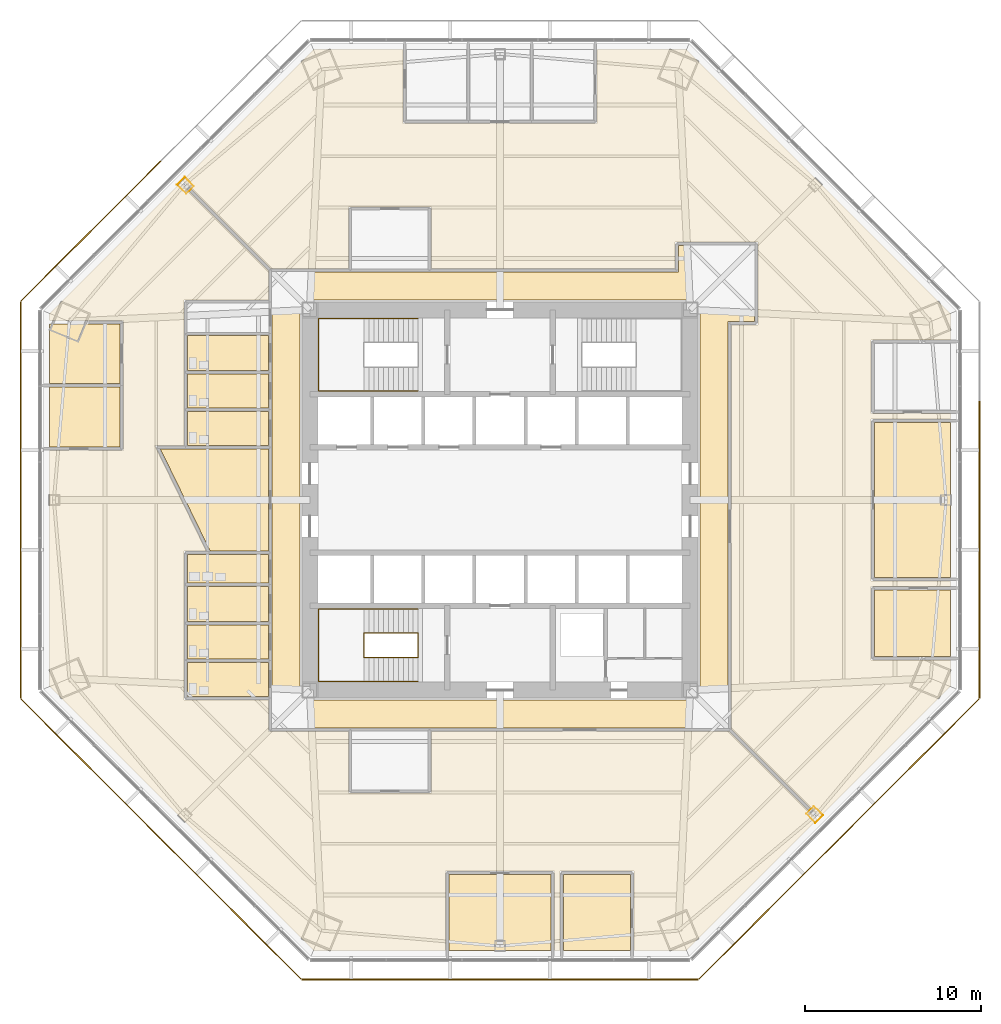
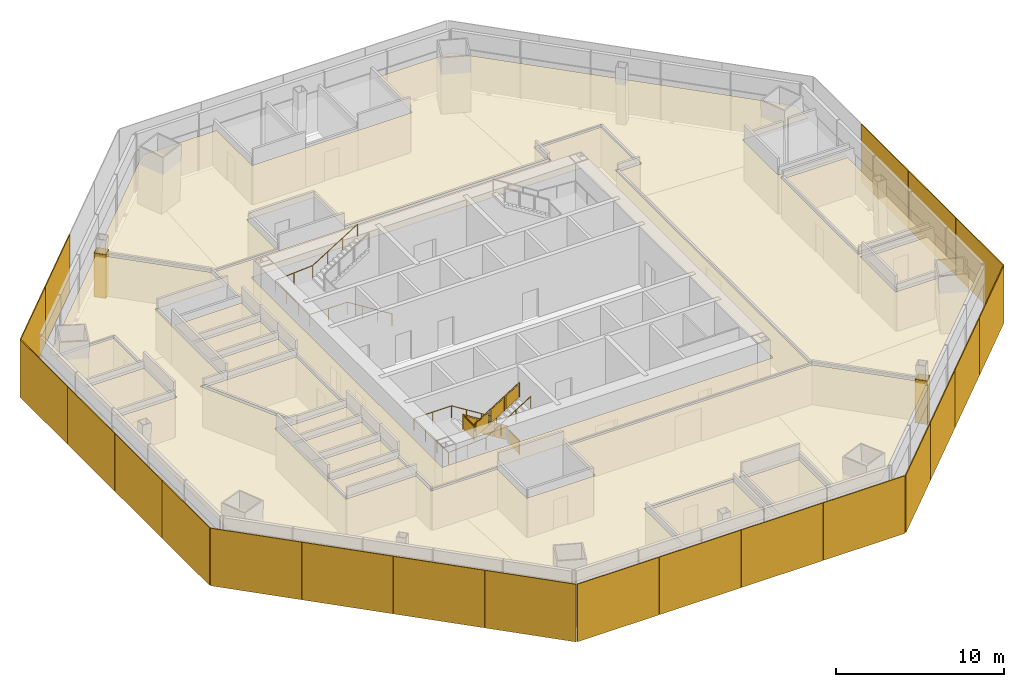
# One storey, part 13 of 15: 21 shading devices, 19 coverings, 3 railings.
"""IFC4 building model written with IfcOpenShell, lengths in metres."""

from ifc_helpers import new_model, si_unit, direction, frame, origin, origin_2d, place, context, subcontext, project, spatial, polyline, rectangle, circle, outline, extrude, source, transform, mapped, material, layer, layer_set, type_object, type_shapes, element, save


model = new_model("IFC4")

# Units and contexts
model_context = context("Model", 3, precision=1e-05, world=origin(), true_north=direction((0.0, 1.0)))
body_context = subcontext(model_context, "Body", "Model", "MODEL_VIEW")
ifc_project = project(units=[si_unit("LENGTHUNIT", "METRE"), si_unit("AREAUNIT", "SQUARE_METRE"), si_unit("VOLUMEUNIT", "CUBIC_METRE"), si_unit("PLANEANGLEUNIT", "RADIAN"), si_unit("MASSUNIT", "GRAM", prefix="KILO")], contexts=[model_context])

# Site, building, storey
site_placement = place(None, origin())
site = spatial("IfcSite", under=ifc_project, at=site_placement, CompositionType="ELEMENT")
building_placement = place(site_placement, origin())
building = spatial("IfcBuilding", under=site, at=building_placement, Name="Mashrafa Tower", CompositionType="ELEMENT")
storey_placement = place(building_placement, frame((0.0, 0.0, 66.60009765625)))
storey = spatial("IfcBuildingStorey", under=building, at=storey_placement, Name="L14", CompositionType="ELEMENT", Elevation=66.60009765625)

# Coverings
ifc_material_1 = material(Name="Gypsum board")
ifc_layer_1 = layer(ifc_material_1, 0.014892578125)
ifc_layer_set_1 = layer_set([ifc_layer_1], Name="Column casing plasterboard 15")
covering_type_1 = type_object("IfcCoveringType", Name="Column casing plasterboard 15", PredefinedType="CLADDING", material=ifc_layer_set_1)
covering_1_placement = place(storey_placement, origin())
element("IfcCovering", 1, at=covering_1_placement, inside=storey, type_object=covering_type_1, Name="Column casing L14-001", PredefinedType="CLADDING", context=body_context, shape_type="SweptSolid", body=[
    extrude(outline(polyline([(-18.357177734375, 17.91162109375), (-17.91162109375, 18.357177734375), (-17.3818359375, 17.827392578125), (-17.827392578125, 17.3818359375), (-18.357177734375, 17.91162109375)]), holes=[polyline([(-17.403076171875, 17.827392578125), (-17.91162109375, 18.3359375), (-18.3359375, 17.91162109375), (-17.827392578125, 17.403076171875), (-17.403076171875, 17.827392578125)])]), origin(), (0.0, 0.0, 1.0), 3.16650390625),
])
covering_2_placement = place(storey_placement, origin())
element("IfcCovering", 2, at=covering_2_placement, inside=storey, type_object=covering_type_1, Name="Column casing L14-002", PredefinedType="CLADDING", context=body_context, shape_type="SweptSolid", body=[
    extrude(outline(polyline([(17.3818359375, -17.827392578125), (17.827392578125, -17.3818359375), (18.357177734375, -17.91162109375), (17.91162109375, -18.357177734375), (17.3818359375, -17.827392578125)]), holes=[polyline([(18.3359375, -17.91162109375), (17.827392578125, -17.403076171875), (17.403076171875, -17.827392578125), (17.91162109375, -18.3359375), (18.3359375, -17.91162109375)])]), origin(), (0.0, 0.0, 1.0), 3.16650390625),
])

# Railings
ifc_material_2 = material(Name="Steel guard with glass infill", Category="steel")
railing_type_1 = type_object("IfcRailingType", Name="Stair guard 1100", PredefinedType="GUARDRAIL", material=ifc_material_2)
railing_1_placement = place(storey_placement, frame((-4.64990234375, -8.949951171875, 0.0)))
element("IfcRailing", 3, at=railing_1_placement, inside=storey, type_object=railing_type_1, Name="Stair S3 guard L14", PredefinedType="GUARDRAIL", context=body_context, shape_type="SweptSolid", body=[
    extrude(circle(Radius=0.02392578125, at=origin_2d()), frame((0.0, 0.0, 1.076171875), z_axis=(0.0, 1.0, 0.0), x_axis=(-1.0, 0.0, 0.0)), (0.0, 0.0, 1.0), 1.39990234375),
    extrude(circle(Radius=0.02392578125, at=origin_2d()), frame((0.0, 1.39990234375, 1.076171875), z_axis=(0.0, 0.0, 1.0), x_axis=(1.0, 0.0, 0.0)), (0.0, 0.0, 1.0), 0.1748046875),
    extrude(circle(Radius=0.02392578125, at=origin_2d()), frame((0.0, 1.39990234375, 1.2509765625), z_axis=(-0.847998304005, 0.0, 0.529998940003), x_axis=(0.0, -1.0, 0.0)), (0.0, 0.0, 1.0), 3.632080078125),
    extrude(circle(Radius=0.02392578125, at=origin_2d()), frame((-3.080078125, 1.39990234375, 3.17578125), z_axis=(0.0, -1.0, 0.0), x_axis=(1.0, 0.0, 0.0)), (0.0, 0.0, 1.0), 1.39990234375),
    extrude(circle(Radius=0.02392578125, at=origin_2d()), frame((-3.080078125, 0.0, 3.17578125), z_axis=(0.0, 0.0, 1.0), x_axis=(1.0, 0.0, 0.0)), (0.0, 0.0, 1.0), 0.175048828125),
    extrude(circle(Radius=0.02392578125, at=origin_2d()), frame((-3.080078125, 0.0, 3.35107421875), z_axis=(0.847998304005, 0.0, 0.529998940003), x_axis=(0.0, 1.0, 0.0)), (0.0, 0.0, 1.0), 3.632080078125),
    extrude(circle(Radius=0.02099609375, at=origin_2d()), origin(), (0.0, 0.0, 1.0), 1.052001953125),
    extrude(circle(Radius=0.02099609375, at=origin_2d()), frame((0.0, 1.39990234375, 0.0)), (0.0, 0.0, 1.0), 1.052001953125),
    extrude(circle(Radius=0.02099609375, at=origin_2d()), frame((0.0, 1.39990234375, 0.1748046875)), (0.0, 0.0, 1.0), 1.052001953125),
    extrude(circle(Radius=0.02099609375, at=origin_2d()), frame((-1.026611328125, 1.39990234375, 0.81640625)), (0.0, 0.0, 1.0), 1.052001953125),
    extrude(circle(Radius=0.02099609375, at=origin_2d()), frame((-2.053466796875, 1.39990234375, 1.458251953125)), (0.0, 0.0, 1.0), 1.052001953125),
    extrude(circle(Radius=0.02099609375, at=origin_2d()), frame((-3.080078125, 1.39990234375, 2.099853515625)), (0.0, 0.0, 1.0), 1.052001953125),
    extrude(circle(Radius=0.02099609375, at=origin_2d()), frame((-3.080078125, 0.0, 2.099853515625)), (0.0, 0.0, 1.0), 1.052001953125),
    extrude(circle(Radius=0.02099609375, at=origin_2d()), frame((-3.080078125, 0.0, 2.27490234375)), (0.0, 0.0, 1.0), 1.052001953125),
    extrude(circle(Radius=0.02099609375, at=origin_2d()), frame((-2.053466796875, 0.0, 2.91650390625)), (0.0, 0.0, 1.0), 1.052001953125),
    extrude(circle(Radius=0.02099609375, at=origin_2d()), frame((-1.026611328125, 0.0, 3.558349609375)), (0.0, 0.0, 1.0), 1.052001953125),
    extrude(circle(Radius=0.02099609375, at=origin_2d()), frame((0.0, 0.0, 4.199951171875)), (0.0, 0.0, 1.0), 1.052001953125),
    extrude(outline(polyline([(0.071044921875, 0.050048828125), (1.328857421875, 0.050048828125), (1.328857421875, 1.001953125), (0.071044921875, 1.001953125), (0.071044921875, 0.050048828125)])), frame((0.006103515625, 0.0, 0.0), z_axis=(1.0, 0.0, 0.0), x_axis=(0.0, 1.0, 0.0)), (0.0, 0.0, 1.0), 0.011962890625),
    extrude(outline(polyline([(0.071044921875, 0.094482421875), (0.955810546875, 0.647216796875), (0.955810546875, 1.599365234375), (0.071044921875, 1.04638671875), (0.071044921875, 0.094482421875)])), frame((0.0, 1.406005859375, 0.1748046875), z_axis=(0.0, 1.0, 0.0), x_axis=(-1.0, 0.0, 0.0)), (0.0, 0.0, 1.0), 0.011962890625),
    extrude(outline(polyline([(1.09765625, 0.736083984375), (1.982421875, 1.2890625), (1.982421875, 2.240966796875), (1.09765625, 1.68798828125), (1.09765625, 0.736083984375)])), frame((0.0, 1.406005859375, 0.1748046875), z_axis=(0.0, 1.0, 0.0), x_axis=(-1.0, 0.0, 0.0)), (0.0, 0.0, 1.0), 0.011962890625),
    extrude(outline(polyline([(2.124267578125, 1.377685546875), (3.009033203125, 1.9306640625), (3.009033203125, 2.882568359375), (2.124267578125, 2.329833984375), (2.124267578125, 1.377685546875)])), frame((0.0, 1.406005859375, 0.1748046875), z_axis=(0.0, 1.0, 0.0), x_axis=(-1.0, 0.0, 0.0)), (0.0, 0.0, 1.0), 0.011962890625),
    extrude(outline(polyline([(0.071044921875, 0.050048828125), (1.328857421875, 0.050048828125), (1.328857421875, 1.001953125), (0.071044921875, 1.001953125), (0.071044921875, 0.050048828125)])), frame((-3.086181640625, 1.39990234375, 2.099853515625), z_axis=(-1.0, 0.0, 0.0), x_axis=(0.0, -1.0, 0.0)), (0.0, 0.0, 1.0), 0.011962890625),
    extrude(outline(polyline([(0.071044921875, 0.094482421875), (0.955810546875, 0.647216796875), (0.955810546875, 1.599365234375), (0.071044921875, 1.04638671875), (0.071044921875, 0.094482421875)])), frame((-3.080078125, -0.006103515625, 2.27490234375), z_axis=(0.0, -1.0, 0.0), x_axis=(1.0, 0.0, 0.0)), (0.0, 0.0, 1.0), 0.011962890625),
    extrude(outline(polyline([(1.09765625, 0.736083984375), (1.982421875, 1.2890625), (1.982421875, 2.240966796875), (1.09765625, 1.68798828125), (1.09765625, 0.736083984375)])), frame((-3.080078125, -0.006103515625, 2.27490234375), z_axis=(0.0, -1.0, 0.0), x_axis=(1.0, 0.0, 0.0)), (0.0, 0.0, 1.0), 0.011962890625),
    extrude(outline(polyline([(2.124267578125, 1.377685546875), (3.009033203125, 1.9306640625), (3.009033203125, 2.882568359375), (2.124267578125, 2.329833984375), (2.124267578125, 1.377685546875)])), frame((-3.080078125, -0.006103515625, 2.27490234375), z_axis=(0.0, -1.0, 0.0), x_axis=(1.0, 0.0, 0.0)), (0.0, 0.0, 1.0), 0.011962890625),
])
ifc_material_3 = material(Name="Steel", Category="steel")
railing_type_2 = type_object("IfcRailingType", Name="Stair handrail 900", PredefinedType="HANDRAIL", material=ifc_material_3)
railing_2_placement = place(storey_placement, frame((-4.64990234375, 6.199951171875, 0.1748046875)))
element("IfcRailing", 4, at=railing_2_placement, inside=storey, type_object=railing_type_2, Name="Stair S1 handrail L14", PredefinedType="HANDRAIL", context=body_context, shape_type="SweptSolid", body=[
    extrude(circle(Radius=0.02392578125, at=origin_2d()), frame((0.0, 0.0, 0.8759765625), z_axis=(-0.847998304005, 0.0, 0.529998940003), x_axis=(0.0, -1.0, 0.0)), (0.0, 0.0, 1.0), 3.632080078125),
    extrude(circle(Radius=0.02392578125, at=origin_2d()), frame((-3.080078125, 0.0, 2.80078125), z_axis=(-1.0, 0.0, 0.0), x_axis=(0.0, -1.0, 0.0)), (0.0, 0.0, 1.0), 2.570068359375),
    extrude(circle(Radius=0.02392578125, at=origin_2d()), frame((-5.650146484375, 0.0, 2.80078125), z_axis=(0.0, 1.0, 0.0), x_axis=(-1.0, 0.0, 0.0)), (0.0, 0.0, 1.0), 4.10009765625),
    extrude(circle(Radius=0.02392578125, at=origin_2d()), frame((-5.650146484375, 4.10009765625, 2.80078125), z_axis=(0.997688514158, 0.0, 0.067953136188), x_axis=(0.0, 1.0, 0.0)), (0.0, 0.0, 1.0), 2.575927734375),
    extrude(circle(Radius=0.02392578125, at=origin_2d()), frame((-3.080078125, 4.10009765625, 2.97607421875), z_axis=(0.847998304005, 0.0, 0.529998940003), x_axis=(0.0, 1.0, 0.0)), (0.0, 0.0, 1.0), 3.632080078125),
    extrude(circle(Radius=0.02099609375, at=origin_2d()), origin(), (0.0, 0.0, 1.0), 0.851806640625),
    extrude(circle(Radius=0.02099609375, at=origin_2d()), frame((-1.026611328125, 0.0, 0.6416015625)), (0.0, 0.0, 1.0), 0.851806640625),
    extrude(circle(Radius=0.02099609375, at=origin_2d()), frame((-2.053466796875, 0.0, 1.283447265625)), (0.0, 0.0, 1.0), 0.851806640625),
    extrude(circle(Radius=0.02099609375, at=origin_2d()), frame((-3.080078125, 0.0, 1.925048828125)), (0.0, 0.0, 1.0), 0.851806640625),
    extrude(circle(Radius=0.02099609375, at=origin_2d()), frame((-4.365234375, 0.0, 1.925048828125)), (0.0, 0.0, 1.0), 0.851806640625),
    extrude(circle(Radius=0.02099609375, at=origin_2d()), frame((-5.650146484375, 0.0, 1.925048828125)), (0.0, 0.0, 1.0), 0.851806640625),
    extrude(circle(Radius=0.02099609375, at=origin_2d()), frame((-5.650146484375, 1.36669921875, 1.925048828125)), (0.0, 0.0, 1.0), 0.851806640625),
    extrude(circle(Radius=0.02099609375, at=origin_2d()), frame((-5.650146484375, 2.7333984375, 1.925048828125)), (0.0, 0.0, 1.0), 0.851806640625),
    extrude(circle(Radius=0.02099609375, at=origin_2d()), frame((-5.650146484375, 4.10009765625, 1.925048828125)), (0.0, 0.0, 1.0), 0.851806640625),
    extrude(circle(Radius=0.02099609375, at=origin_2d()), frame((-4.365234375, 4.10009765625, 2.0126953125)), (0.0, 0.0, 1.0), 0.851806640625),
    extrude(circle(Radius=0.02099609375, at=origin_2d()), frame((-3.080078125, 4.10009765625, 2.10009765625)), (0.0, 0.0, 1.0), 0.851806640625),
    extrude(circle(Radius=0.02099609375, at=origin_2d()), frame((-2.053466796875, 4.10009765625, 2.74169921875)), (0.0, 0.0, 1.0), 0.851806640625),
    extrude(circle(Radius=0.02099609375, at=origin_2d()), frame((-1.026611328125, 4.10009765625, 3.383544921875)), (0.0, 0.0, 1.0), 0.851806640625),
    extrude(circle(Radius=0.02099609375, at=origin_2d()), frame((0.0, 4.10009765625, 4.025146484375)), (0.0, 0.0, 1.0), 0.851806640625),
])
railing_3_placement = place(storey_placement, frame((-4.64990234375, -6.199951171875, 0.1748046875)))
element("IfcRailing", 5, at=railing_3_placement, inside=storey, type_object=railing_type_2, Name="Stair S3 handrail L14", PredefinedType="HANDRAIL", context=body_context, shape_type="SweptSolid", body=[
    extrude(circle(Radius=0.02392578125, at=origin_2d()), frame((0.0, 0.0, 0.8759765625), z_axis=(-0.847998304005, 0.0, 0.529998940003), x_axis=(0.0, -1.0, 0.0)), (0.0, 0.0, 1.0), 3.632080078125),
    extrude(circle(Radius=0.02392578125, at=origin_2d()), frame((-3.080078125, 0.0, 2.80078125), z_axis=(-1.0, 0.0, 0.0), x_axis=(0.0, -1.0, 0.0)), (0.0, 0.0, 1.0), 2.570068359375),
    extrude(circle(Radius=0.02392578125, at=origin_2d()), frame((-5.650146484375, 0.0, 2.80078125), z_axis=(0.0, -1.0, 0.0), x_axis=(1.0, 0.0, 0.0)), (0.0, 0.0, 1.0), 4.10009765625),
    extrude(circle(Radius=0.02392578125, at=origin_2d()), frame((-5.650146484375, -4.10009765625, 2.80078125), z_axis=(0.997688514158, 0.0, 0.067953136188), x_axis=(0.0, 1.0, 0.0)), (0.0, 0.0, 1.0), 2.575927734375),
    extrude(circle(Radius=0.02392578125, at=origin_2d()), frame((-3.080078125, -4.10009765625, 2.97607421875), z_axis=(0.847998304005, 0.0, 0.529998940003), x_axis=(0.0, 1.0, 0.0)), (0.0, 0.0, 1.0), 3.632080078125),
    extrude(circle(Radius=0.02099609375, at=origin_2d()), origin(), (0.0, 0.0, 1.0), 0.851806640625),
    extrude(circle(Radius=0.02099609375, at=origin_2d()), frame((-1.026611328125, 0.0, 0.6416015625)), (0.0, 0.0, 1.0), 0.851806640625),
    extrude(circle(Radius=0.02099609375, at=origin_2d()), frame((-2.053466796875, 0.0, 1.283447265625)), (0.0, 0.0, 1.0), 0.851806640625),
    extrude(circle(Radius=0.02099609375, at=origin_2d()), frame((-3.080078125, 0.0, 1.925048828125)), (0.0, 0.0, 1.0), 0.851806640625),
    extrude(circle(Radius=0.02099609375, at=origin_2d()), frame((-4.365234375, 0.0, 1.925048828125)), (0.0, 0.0, 1.0), 0.851806640625),
    extrude(circle(Radius=0.02099609375, at=origin_2d()), frame((-5.650146484375, 0.0, 1.925048828125)), (0.0, 0.0, 1.0), 0.851806640625),
    extrude(circle(Radius=0.02099609375, at=origin_2d()), frame((-5.650146484375, -1.36669921875, 1.925048828125)), (0.0, 0.0, 1.0), 0.851806640625),
    extrude(circle(Radius=0.02099609375, at=origin_2d()), frame((-5.650146484375, -2.7333984375, 1.925048828125)), (0.0, 0.0, 1.0), 0.851806640625),
    extrude(circle(Radius=0.02099609375, at=origin_2d()), frame((-5.650146484375, -4.10009765625, 1.925048828125)), (0.0, 0.0, 1.0), 0.851806640625),
    extrude(circle(Radius=0.02099609375, at=origin_2d()), frame((-4.365234375, -4.10009765625, 2.0126953125)), (0.0, 0.0, 1.0), 0.851806640625),
    extrude(circle(Radius=0.02099609375, at=origin_2d()), frame((-3.080078125, -4.10009765625, 2.10009765625)), (0.0, 0.0, 1.0), 0.851806640625),
    extrude(circle(Radius=0.02099609375, at=origin_2d()), frame((-2.053466796875, -4.10009765625, 2.74169921875)), (0.0, 0.0, 1.0), 0.851806640625),
    extrude(circle(Radius=0.02099609375, at=origin_2d()), frame((-1.026611328125, -4.10009765625, 3.383544921875)), (0.0, 0.0, 1.0), 0.851806640625),
    extrude(circle(Radius=0.02099609375, at=origin_2d()), frame((0.0, -4.10009765625, 4.025146484375)), (0.0, 0.0, 1.0), 0.851806640625),
])

# Coverings
ifc_material_4 = material(Name="Mineral fibre tile on suspension grid")
ifc_layer_2 = layer(ifc_material_4, 0.014892578125)
ifc_layer_set_2 = layer_set([ifc_layer_2], Name="Suspended ceiling mineral tile 15")
covering_type_2 = type_object("IfcCoveringType", Name="Suspended ceiling mineral tile 15", PredefinedType="CEILING", material=ifc_layer_set_2)
covering_3_placement = place(storey_placement, frame((0.0, 0.0, 2.89990234375)))
element("IfcCovering", 6, at=covering_3_placement, inside=storey, type_object=covering_type_2, Name="Ceiling Office Corridor L14", PredefinedType="CEILING", context=body_context, shape_type="SweptSolid", body=[
    extrude(outline(polyline([(-12.949951171875, -12.949951171875), (-12.949951171875, 12.949951171875), (10.14990234375, 12.949951171875), (10.14990234375, 14.449951171875), (14.449951171875, 14.449951171875), (14.449951171875, 10.14990234375), (12.949951171875, 10.14990234375), (12.949951171875, -12.949951171875), (-12.949951171875, -12.949951171875)]), holes=[polyline([(11.35009765625, 11.35009765625), (-11.35009765625, 11.35009765625), (-11.35009765625, -11.35009765625), (11.35009765625, -11.35009765625), (11.35009765625, 11.35009765625)])]), origin(), (0.0, 0.0, 1.0), 0.014892578125),
])
covering_4_placement = place(storey_placement, frame((0.0, 0.0, 2.89990234375)))
element("IfcCovering", 7, at=covering_4_placement, inside=storey, type_object=covering_type_2, Name="Ceiling WC Female L14 N", PredefinedType="CEILING", context=body_context, shape_type="SweptSolid", body=[
    extrude(outline(polyline([(-17.75, 3.10009765625), (-17.75, 5.02490234375), (-13.14990234375, 5.02490234375), (-13.14990234375, 3.10009765625), (-17.75, 3.10009765625)])), origin(), (0.0, 0.0, 1.0), 0.014892578125),
])
covering_5_placement = place(storey_placement, frame((0.0, 0.0, 2.89990234375)))
element("IfcCovering", 8, at=covering_5_placement, inside=storey, type_object=covering_type_2, Name="Ceiling WC Male L14 N", PredefinedType="CEILING", context=body_context, shape_type="SweptSolid", body=[
    extrude(outline(polyline([(-17.75, 5.22509765625), (-17.75, 7.14990234375), (-13.14990234375, 7.14990234375), (-13.14990234375, 5.22509765625), (-17.75, 5.22509765625)])), origin(), (0.0, 0.0, 1.0), 0.014892578125),
])
covering_6_placement = place(storey_placement, frame((0.0, 0.0, 2.89990234375)))
element("IfcCovering", 9, at=covering_6_placement, inside=storey, type_object=covering_type_2, Name="Ceiling Accessible WC L14 N", PredefinedType="CEILING", context=body_context, shape_type="SweptSolid", body=[
    extrude(outline(polyline([(-17.75, 7.35009765625), (-17.75, 9.35009765625), (-13.14990234375, 9.35009765625), (-13.14990234375, 7.35009765625), (-17.75, 7.35009765625)])), origin(), (0.0, 0.0, 1.0), 0.014892578125),
])
covering_7_placement = place(storey_placement, frame((0.0, 0.0, 2.89990234375)))
element("IfcCovering", 10, at=covering_7_placement, inside=storey, type_object=covering_type_2, Name="Ceiling WC Female L14 S", PredefinedType="CEILING", context=body_context, shape_type="SweptSolid", body=[
    extrude(outline(polyline([(-17.75, -11.14990234375), (-17.75, -9.22509765625), (-13.14990234375, -9.22509765625), (-13.14990234375, -11.14990234375), (-17.75, -11.14990234375)])), origin(), (0.0, 0.0, 1.0), 0.014892578125),
])
covering_8_placement = place(storey_placement, frame((0.0, 0.0, 2.89990234375)))
element("IfcCovering", 11, at=covering_8_placement, inside=storey, type_object=covering_type_2, Name="Ceiling WC Male L14 S", PredefinedType="CEILING", context=body_context, shape_type="SweptSolid", body=[
    extrude(outline(polyline([(-17.75, -9.02490234375), (-17.75, -7.10009765625), (-13.14990234375, -7.10009765625), (-13.14990234375, -9.02490234375), (-17.75, -9.02490234375)])), origin(), (0.0, 0.0, 1.0), 0.014892578125),
])
covering_9_placement = place(storey_placement, frame((0.0, 0.0, 2.89990234375)))
element("IfcCovering", 12, at=covering_9_placement, inside=storey, type_object=covering_type_2, Name="Ceiling Accessible WC L14 S", PredefinedType="CEILING", context=body_context, shape_type="SweptSolid", body=[
    extrude(outline(polyline([(-17.75, -6.89990234375), (-17.75, -4.89990234375), (-13.14990234375, -4.89990234375), (-13.14990234375, -6.89990234375), (-17.75, -6.89990234375)])), origin(), (0.0, 0.0, 1.0), 0.014892578125),
])
covering_10_placement = place(storey_placement, frame((0.0, 0.0, 2.89990234375)))
element("IfcCovering", 13, at=covering_10_placement, inside=storey, type_object=covering_type_2, Name="Ceiling Ablution Room L14 S", PredefinedType="CEILING", context=body_context, shape_type="SweptSolid", body=[
    extrude(outline(polyline([(-17.75, -4.699951171875), (-17.75, -3.10009765625), (-13.14990234375, -3.10009765625), (-13.14990234375, -4.699951171875), (-17.75, -4.699951171875)])), origin(), (0.0, 0.0, 1.0), 0.014892578125),
])
covering_11_placement = place(storey_placement, frame((0.0, 0.0, 2.89990234375)))
element("IfcCovering", 14, at=covering_11_placement, inside=storey, type_object=covering_type_2, Name="Ceiling Musallah Prayer Room 14", PredefinedType="CEILING", context=body_context, shape_type="SweptSolid", body=[
    extrude(outline(polyline([(-16.461181640625, -2.89990234375), (-19.2900390625, 2.89990234375), (-13.14990234375, 2.89990234375), (-13.14990234375, -2.89990234375), (-16.461181640625, -2.89990234375)])), origin(), (0.0, 0.0, 1.0), 0.014892578125),
])
covering_12_placement = place(storey_placement, frame((0.0, 0.0, 2.89990234375)))
element("IfcCovering", 15, at=covering_12_placement, inside=storey, type_object=covering_type_2, Name="Ceiling Meeting Room 14-A", PredefinedType="CEILING", context=body_context, shape_type="SweptSolid", body=[
    extrude(outline(polyline([(21.28076171875, 4.39990234375), (25.580810546875, 4.39990234375), (25.580810546875, -4.39990234375), (21.28076171875, -4.39990234375), (21.28076171875, 4.39990234375)])), origin(), (0.0, 0.0, 1.0), 0.014892578125),
])
covering_13_placement = place(storey_placement, frame((0.0, 0.0, 2.89990234375)))
element("IfcCovering", 16, at=covering_13_placement, inside=storey, type_object=covering_type_2, Name="Ceiling Meeting Room 14-B", PredefinedType="CEILING", context=body_context, shape_type="SweptSolid", body=[
    extrude(outline(polyline([(-2.89990234375, -21.28076171875), (2.89990234375, -21.28076171875), (2.89990234375, -25.580810546875), (-2.89990234375, -25.580810546875), (-2.89990234375, -21.28076171875)])), origin(), (0.0, 0.0, 1.0), 0.014892578125),
])
covering_14_placement = place(storey_placement, frame((0.0, 0.0, 2.89990234375)))
element("IfcCovering", 17, at=covering_14_placement, inside=storey, type_object=covering_type_2, Name="Ceiling Office 14-B-1", PredefinedType="CEILING", context=body_context, shape_type="SweptSolid", body=[
    extrude(outline(polyline([(-21.580810546875, 10.00390625), (-21.580810546875, 6.60400390625), (-25.580810546875, 6.60400390625), (-25.580810546875, 10.00390625), (-21.580810546875, 10.00390625)])), origin(), (0.0, 0.0, 1.0), 0.014892578125),
])
covering_15_placement = place(storey_placement, frame((0.0, 0.0, 2.89990234375)))
element("IfcCovering", 18, at=covering_15_placement, inside=storey, type_object=covering_type_2, Name="Ceiling Office 14-B-2", PredefinedType="CEILING", context=body_context, shape_type="SweptSolid", body=[
    extrude(outline(polyline([(-21.580810546875, 6.404052734375), (-21.580810546875, 3.00390625), (-25.580810546875, 3.00390625), (-25.580810546875, 6.404052734375), (-21.580810546875, 6.404052734375)])), origin(), (0.0, 0.0, 1.0), 0.014892578125),
])
covering_16_placement = place(storey_placement, frame((0.0, 0.0, 2.89990234375)))
element("IfcCovering", 19, at=covering_16_placement, inside=storey, type_object=covering_type_2, Name="Ceiling Project Meeting Room 14-A2", PredefinedType="CEILING", context=body_context, shape_type="SweptSolid", body=[
    extrude(outline(polyline([(21.28076171875, -5.10009765625), (25.580810546875, -5.10009765625), (25.580810546875, -8.89990234375), (21.28076171875, -8.89990234375), (21.28076171875, -5.10009765625)])), origin(), (0.0, 0.0, 1.0), 0.014892578125),
])
covering_17_placement = place(storey_placement, frame((0.0, 0.0, 2.89990234375)))
element("IfcCovering", 20, at=covering_17_placement, inside=storey, type_object=covering_type_2, Name="Ceiling Interview Room 14-B", PredefinedType="CEILING", context=body_context, shape_type="SweptSolid", body=[
    extrude(outline(polyline([(3.60009765625, -21.28076171875), (7.39990234375, -21.28076171875), (7.39990234375, -25.580810546875), (3.60009765625, -25.580810546875), (3.60009765625, -21.28076171875)])), origin(), (0.0, 0.0, 1.0), 0.014892578125),
])
covering_18_placement = place(storey_placement, frame((0.0, 0.0, 2.89990234375)))
element("IfcCovering", 21, at=covering_18_placement, inside=storey, type_object=covering_type_2, Name="Ceiling Office Tenancy 14-A", PredefinedType="CEILING", context=body_context, shape_type="SweptSolid", body=[
    extrude(outline(polyline([(-13.008544921875, 13.14990234375), (-18.017578125, 18.158935546875), (-10.595947265625, 25.580810546875), (-5.5, 25.580810546875), (-5.5, 21.380615234375), (5.5, 21.380615234375), (5.5, 25.580810546875), (10.595947265625, 25.580810546875), (25.580810546875, 10.595947265625), (25.580810546875, 9.10009765625), (21.080810546875, 9.10009765625), (21.080810546875, 4.89990234375), (25.580810546875, 4.89990234375), (25.580810546875, 4.60009765625), (21.080810546875, 4.60009765625), (21.080810546875, -4.60009765625), (25.580810546875, -4.60009765625), (25.580810546875, -4.89990234375), (21.080810546875, -4.89990234375), (21.080810546875, -9.10009765625), (25.580810546875, -9.10009765625), (25.580810546875, -10.595947265625), (18.158935546875, -18.017578125), (13.14990234375, -13.008544921875), (13.14990234375, 9.949951171875), (14.64990234375, 9.949951171875), (14.64990234375, 14.64990234375), (9.949951171875, 14.64990234375), (9.949951171875, 13.14990234375), (-3.89990234375, 13.14990234375), (-3.89990234375, 16.64990234375), (-8.60009765625, 16.64990234375), (-8.60009765625, 13.14990234375), (-13.008544921875, 13.14990234375)])), origin(), (0.0, 0.0, 1.0), 0.014892578125),
])
covering_19_placement = place(storey_placement, frame((0.0, 0.0, 2.89990234375)))
element("IfcCovering", 22, at=covering_19_placement, inside=storey, type_object=covering_type_2, Name="Ceiling Office Tenancy 14-B", PredefinedType="CEILING", context=body_context, shape_type="SweptSolid", body=[
    extrude(outline(polyline([(13.008544921875, -13.14990234375), (18.017578125, -18.158935546875), (10.595947265625, -25.580810546875), (7.60009765625, -25.580810546875), (7.60009765625, -21.080810546875), (3.39990234375, -21.080810546875), (3.39990234375, -25.580810546875), (3.10009765625, -25.580810546875), (3.10009765625, -21.080810546875), (-3.10009765625, -21.080810546875), (-3.10009765625, -25.580810546875), (-10.595947265625, -25.580810546875), (-25.580810546875, -10.595947265625), (-25.580810546875, 2.803955078125), (-21.380615234375, 2.803955078125), (-21.380615234375, 10.2041015625), (-25.580810546875, 10.2041015625), (-25.580810546875, 10.595947265625), (-18.158935546875, 18.017578125), (-13.14990234375, 13.008544921875), (-13.14990234375, 11.35009765625), (-17.949951171875, 11.35009765625), (-17.949951171875, 3.10009765625), (-19.610107421875, 3.10009765625), (-16.68359375, -2.89990234375), (-17.949951171875, -2.89990234375), (-17.949951171875, -11.35009765625), (-13.14990234375, -11.35009765625), (-13.14990234375, -13.14990234375), (-8.60009765625, -13.14990234375), (-8.60009765625, -16.64990234375), (-3.89990234375, -16.64990234375), (-3.89990234375, -13.14990234375), (13.008544921875, -13.14990234375)])), origin(), (0.0, 0.0, 1.0), 0.014892578125),
])

# Shading devices
ifc_material_5 = material(Name="Perforated aluminium plate, eight-point star pattern", Category="aluminium")
ifc_layer_3 = layer(ifc_material_5, 0.06005859375)
ifc_layer_set_3 = layer_set([ifc_layer_3], Name="Mashrabiya screen panel office zone 1, 45 percent open")
shading_device_type = type_object("IfcShadingDeviceType", Name="Mashrabiya screen panel office zone 1, 45 percent open", PredefinedType="SHUTTER", material=ifc_layer_set_3)
shared_shape = source(origin(), body_context, "Body", "SweptSolid", [
    extrude(rectangle(XDim=5.6083984375, YDim=0.06005859375, at=origin_2d()), origin(), (0.0, 0.0, 1.0), 4.179931640625),
])
type_shapes(shading_device_type, [shared_shape])
for number, where, z_axis, x_axis, name in (
    (23, (27.230712890625, -8.442626953125, -0.14990234375), (0.0, 0.0, 1.0), (0.0, 1.0, 0.0), "Mashrabiya screen L14 east 1"),
    (24, (27.230712890625, -2.814208984375, -0.14990234375), (0.0, 0.0, 1.0), (0.0, 1.0, 0.0), "Mashrabiya screen L14 east 2"),
    (25, (27.230712890625, 2.814208984375, -0.14990234375), (0.0, 0.0, 1.0), (0.0, 1.0, 0.0), "Mashrabiya screen L14 east 3"),
    (26, (-21.244873046875, 17.26513671875, -0.14990234375), (0.0, 0.0, 1.0), (-0.707106781187, -0.707106781187, 0.0), "Mashrabiya screen L14 north-west 3"),
    (27, (-25.224853515625, 13.28515625, -0.14990234375), (0.0, 0.0, 1.0), (-0.707106781187, -0.707106781187, 0.0), "Mashrabiya screen L14 north-west 4"),
    (28, (-27.230712890625, 8.442626953125, -0.14990234375), (0.0, 0.0, 1.0), (0.0, -1.0, 0.0), "Mashrabiya screen L14 west 1"),
    (29, (-27.230712890625, 2.814208984375, -0.14990234375), (0.0, 0.0, 1.0), (0.0, -1.0, 0.0), "Mashrabiya screen L14 west 2"),
    (30, (-27.230712890625, -2.814208984375, -0.14990234375), (0.0, 0.0, 1.0), (0.0, -1.0, 0.0), "Mashrabiya screen L14 west 3"),
    (31, (-27.230712890625, -8.442626953125, -0.14990234375), (0.0, 0.0, 1.0), (0.0, -1.0, 0.0), "Mashrabiya screen L14 west 4"),
    (32, (-25.224853515625, -13.28515625, -0.14990234375), (0.0, 0.0, 1.0), (0.707106781187, -0.707106781187, 0.0), "Mashrabiya screen L14 south-west 1"),
    (33, (-21.244873046875, -17.26513671875, -0.14990234375), (0.0, 0.0, 1.0), (0.707106781187, -0.707106781187, 0.0), "Mashrabiya screen L14 south-west 2"),
    (34, (-17.26513671875, -21.244873046875, -0.14990234375), (0.0, 0.0, 1.0), (0.707106781187, -0.707106781187, 0.0), "Mashrabiya screen L14 south-west 3"),
    (35, (-13.28515625, -25.224853515625, -0.14990234375), (0.0, 0.0, 1.0), (0.707106781187, -0.707106781187, 0.0), "Mashrabiya screen L14 south-west 4"),
    (36, (-8.442626953125, -27.230712890625, -0.14990234375), (0.0, 0.0, 1.0), (1.0, 0.0, 0.0), "Mashrabiya screen L14 south 1"),
    (37, (-2.814208984375, -27.230712890625, -0.14990234375), (0.0, 0.0, 1.0), (1.0, 0.0, 0.0), "Mashrabiya screen L14 south 2"),
    (38, (2.814208984375, -27.230712890625, -0.14990234375), (0.0, 0.0, 1.0), (1.0, 0.0, 0.0), "Mashrabiya screen L14 south 3"),
    (39, (8.442626953125, -27.230712890625, -0.14990234375), (0.0, 0.0, 1.0), (1.0, 0.0, 0.0), "Mashrabiya screen L14 south 4"),
    (40, (13.28515625, -25.224853515625, -0.14990234375), (0.0, 0.0, 1.0), (0.707106781187, 0.707106781187, 0.0), "Mashrabiya screen L14 south-east 1"),
    (41, (17.26513671875, -21.244873046875, -0.14990234375), (0.0, 0.0, 1.0), (0.707106781187, 0.707106781187, 0.0), "Mashrabiya screen L14 south-east 2"),
    (42, (21.244873046875, -17.26513671875, -0.14990234375), (0.0, 0.0, 1.0), (0.707106781187, 0.707106781187, 0.0), "Mashrabiya screen L14 south-east 3"),
    (43, (25.224853515625, -13.28515625, -0.14990234375), (0.0, 0.0, 1.0), (0.707106781187, 0.707106781187, 0.0), "Mashrabiya screen L14 south-east 4"),
):
    element("IfcShadingDevice", number, at=place(storey_placement, frame(where, z_axis=z_axis, x_axis=x_axis)), inside=storey, type_object=shading_device_type, Name=name, PredefinedType="SHUTTER", context=body_context, shape_type="MappedRepresentation", body=[
        mapped(shared_shape, transform((0.0, 0.0, 0.0))),
    ])

save(model, "model.ifc")
